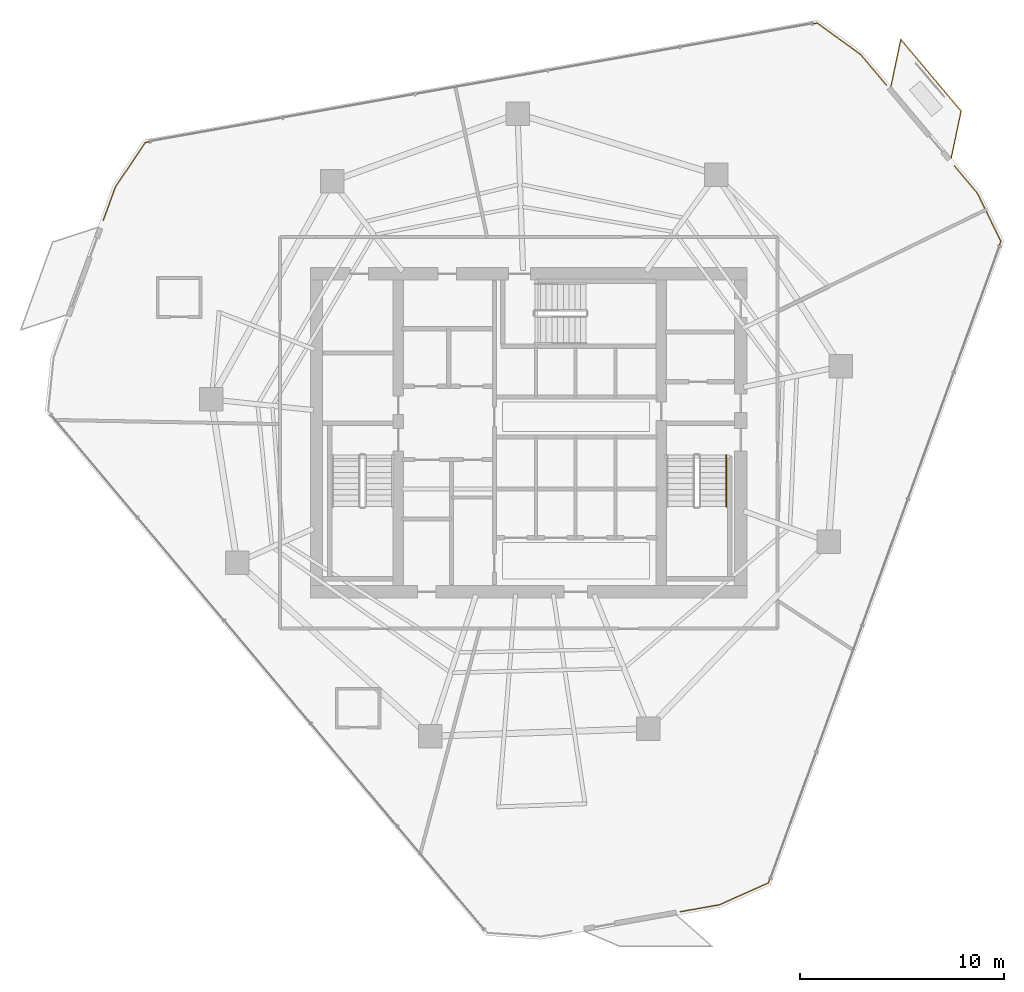
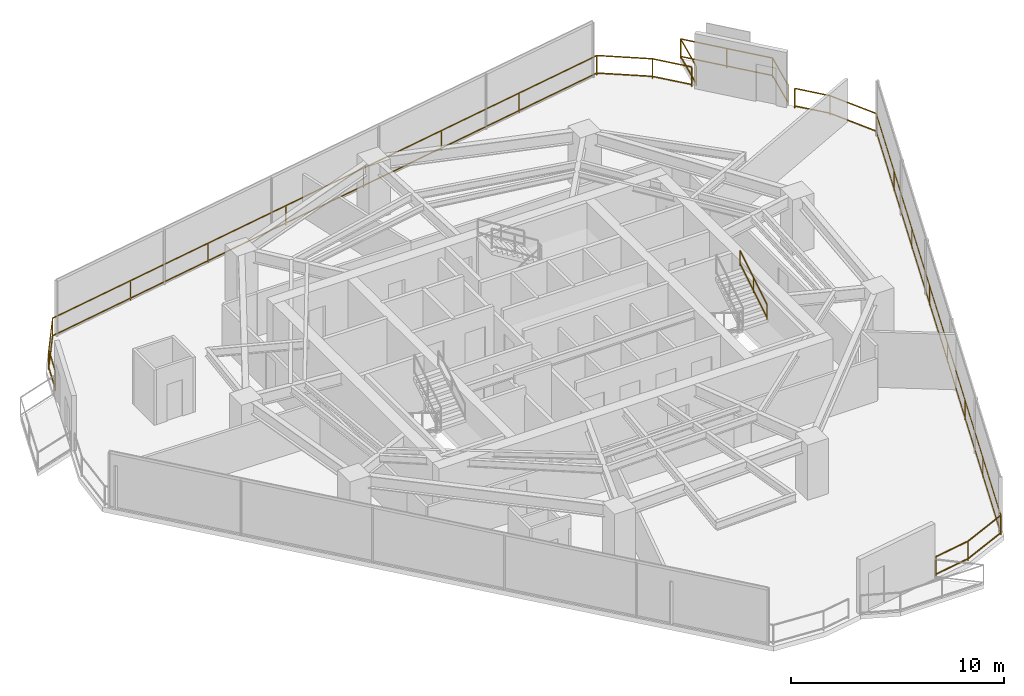
# One storey, part 27 of 27: 5 railings.
"""IFC4 building model written with IfcOpenShell, lengths in metres."""

from ifc_helpers import new_model, si_unit, direction, frame, origin, origin_2d, place, context, subcontext, project, spatial, rectangle, extrude, material, type_object, element, save


model = new_model("IFC4")

# Units and contexts
model_context = context("Model", 3, precision=1e-05, world=origin(), true_north=direction((0.0, 1.0)))
body_context = subcontext(model_context, "Body", "Model", "MODEL_VIEW")
ifc_project = project(units=[si_unit("LENGTHUNIT", "METRE"), si_unit("AREAUNIT", "SQUARE_METRE"), si_unit("VOLUMEUNIT", "CUBIC_METRE"), si_unit("PLANEANGLEUNIT", "RADIAN"), si_unit("MASSUNIT", "GRAM", prefix="KILO")], contexts=[model_context])

# Site, building, storey
site_placement = place(None, origin())
site = spatial("IfcSite", under=ifc_project, at=site_placement, CompositionType="ELEMENT")
building_placement = place(site_placement, origin())
building = spatial("IfcBuilding", under=site, at=building_placement, Name="Qarnah Convention Tower", CompositionType="ELEMENT")
storey_placement = place(building_placement, frame((0.0, 0.0, 103.949951171875)))
storey = spatial("IfcBuildingStorey", under=building, at=storey_placement, Name="L27", CompositionType="ELEMENT", Elevation=103.949951171875)

# Railings
ifc_material_1 = material(Name="Black anodised aluminium", Category="aluminium")
railing_type_1 = type_object("IfcRailingType", Name="RL-EXT-GUARD-1150", PredefinedType="GUARDRAIL", material=ifc_material_1)
railing_1_placement = place(storey_placement, frame((53.47900390625, 44.948974609375, 0.0)))
element("IfcRailing", 1, at=railing_1_placement, inside=storey, type_object=railing_type_1, Name="L27 slab-edge perimeter safety guard 01", PredefinedType="GUARDRAIL", context=body_context, shape_type="SweptSolid", body=[
    extrude(rectangle(XDim=0.048095703125, YDim=0.048095703125, at=origin_2d()), frame((0.0, 0.0, 1.1259765625), z_axis=(0.643822690207, -0.765174714411, 0.0), x_axis=(0.765174714411, 0.643822690207, 0.0)), (0.0, 0.0, 1.0), 1.969482421875),
    extrude(rectangle(XDim=0.048095703125, YDim=0.048095703125, at=origin_2d()), frame((0.0, 0.0, 0.1201171875), z_axis=(0.643822690207, -0.765174714411, 0.0), x_axis=(0.765174714411, 0.643822690207, 0.0)), (0.0, 0.0, 1.0), 1.969482421875),
    extrude(rectangle(XDim=0.0419921875, YDim=0.0419921875, at=origin_2d()), origin(), (0.0, 0.0, 1.0), 1.101806640625),
    extrude(rectangle(XDim=0.0419921875, YDim=0.0419921875, at=origin_2d()), frame((1.26806640625, -1.507080078125, 0.0)), (0.0, 0.0, 1.0), 1.101806640625),
])
railing_2_placement = place(storey_placement, frame((58.068115234375, 39.4951171875, 0.0)))
element("IfcRailing", 2, at=railing_2_placement, inside=storey, type_object=railing_type_1, Name="L27 slab-edge perimeter safety guard 02", PredefinedType="GUARDRAIL", context=body_context, shape_type="SweptSolid", body=[
    extrude(rectangle(XDim=0.048095703125, YDim=0.048095703125, at=origin_2d()), frame((0.0, 0.0, 1.1259765625), z_axis=(0.643810677597, -0.765184821734, 0.0), x_axis=(0.765184821734, 0.643810677597, 0.0)), (0.0, 0.0, 1.0), 1.758056640625),
    extrude(rectangle(XDim=0.048095703125, YDim=0.048095703125, at=origin_2d()), frame((0.0, 0.0, 0.1201171875), z_axis=(0.643810677597, -0.765184821734, 0.0), x_axis=(0.765184821734, 0.643810677597, 0.0)), (0.0, 0.0, 1.0), 1.758056640625),
    extrude(rectangle(XDim=0.048095703125, YDim=0.048095703125, at=origin_2d()), frame((1.1318359375, -1.34521484375, 1.1259765625), z_axis=(0.439774273419, -0.898108338921, 0.0), x_axis=(0.898108338921, 0.439774273419, 0.0)), (0.0, 0.0, 1.0), 2.630859375),
    extrude(rectangle(XDim=0.048095703125, YDim=0.048095703125, at=origin_2d()), frame((1.1318359375, -1.34521484375, 0.1201171875), z_axis=(0.439774273419, -0.898108338921, 0.0), x_axis=(0.898108338921, 0.439774273419, 0.0)), (0.0, 0.0, 1.0), 2.630859375),
    extrude(rectangle(XDim=0.048095703125, YDim=0.048095703125, at=origin_2d()), frame((2.288818359375, -3.7080078125, 1.1259765625), z_axis=(-0.340682519444, -0.940178398468, 0.0), x_axis=(0.940178398468, -0.340682519444, 0.0)), (0.0, 0.0, 1.0), 33.4619140625),
    extrude(rectangle(XDim=0.048095703125, YDim=0.048095703125, at=origin_2d()), frame((2.288818359375, -3.7080078125, 0.1201171875), z_axis=(-0.340682519444, -0.940178398468, 0.0), x_axis=(0.940178398468, -0.340682519444, 0.0)), (0.0, 0.0, 1.0), 33.4619140625),
    extrude(rectangle(XDim=0.048095703125, YDim=0.048095703125, at=origin_2d()), frame((-9.111083984375, -35.168212890625, 1.1259765625), z_axis=(-0.912971955554, -0.408022313571, 0.0), x_axis=(0.408022313571, -0.912971955554, 0.0)), (0.0, 0.0, 1.0), 2.632080078125),
    extrude(rectangle(XDim=0.048095703125, YDim=0.048095703125, at=origin_2d()), frame((-9.111083984375, -35.168212890625, 0.1201171875), z_axis=(-0.912971955554, -0.408022313571, 0.0), x_axis=(0.408022313571, -0.912971955554, 0.0)), (0.0, 0.0, 1.0), 2.632080078125),
    extrude(rectangle(XDim=0.048095703125, YDim=0.048095703125, at=origin_2d()), frame((-11.51416015625, -36.2421875, 1.1259765625), z_axis=(-0.984539236891, -0.175164183043, 0.0), x_axis=(0.175164183043, -0.984539236891, 0.0)), (0.0, 0.0, 1.0), 1.969482421875),
    extrude(rectangle(XDim=0.048095703125, YDim=0.048095703125, at=origin_2d()), frame((-11.51416015625, -36.2421875, 0.1201171875), z_axis=(-0.984539236891, -0.175164183043, 0.0), x_axis=(0.175164183043, -0.984539236891, 0.0)), (0.0, 0.0, 1.0), 1.969482421875),
    extrude(rectangle(XDim=0.0419921875, YDim=0.0419921875, at=origin_2d()), origin(), (0.0, 0.0, 1.0), 1.101806640625),
    extrude(rectangle(XDim=0.0419921875, YDim=0.0419921875, at=origin_2d()), frame((1.1318359375, -1.34521484375, 0.0)), (0.0, 0.0, 1.0), 1.101806640625),
    extrude(rectangle(XDim=0.0419921875, YDim=0.0419921875, at=origin_2d()), frame((2.288818359375, -3.7080078125, 0.0)), (0.0, 0.0, 1.0), 1.101806640625),
    extrude(rectangle(XDim=0.0419921875, YDim=0.0419921875, at=origin_2d()), frame((0.66015625, -8.202392578125, 0.0)), (0.0, 0.0, 1.0), 1.101806640625),
    extrude(rectangle(XDim=0.0419921875, YDim=0.0419921875, at=origin_2d()), frame((-0.96826171875, -12.696533203125, 0.0)), (0.0, 0.0, 1.0), 1.101806640625),
    extrude(rectangle(XDim=0.0419921875, YDim=0.0419921875, at=origin_2d()), frame((-2.596923828125, -17.19091796875, 0.0)), (0.0, 0.0, 1.0), 1.101806640625),
    extrude(rectangle(XDim=0.0419921875, YDim=0.0419921875, at=origin_2d()), frame((-4.225341796875, -21.685302734375, 0.0)), (0.0, 0.0, 1.0), 1.101806640625),
    extrude(rectangle(XDim=0.0419921875, YDim=0.0419921875, at=origin_2d()), frame((-5.85400390625, -26.1796875, 0.0)), (0.0, 0.0, 1.0), 1.101806640625),
    extrude(rectangle(XDim=0.0419921875, YDim=0.0419921875, at=origin_2d()), frame((-7.482421875, -30.673828125, 0.0)), (0.0, 0.0, 1.0), 1.101806640625),
    extrude(rectangle(XDim=0.0419921875, YDim=0.0419921875, at=origin_2d()), frame((-9.111083984375, -35.168212890625, 0.0)), (0.0, 0.0, 1.0), 1.101806640625),
    extrude(rectangle(XDim=0.0419921875, YDim=0.0419921875, at=origin_2d()), frame((-11.51416015625, -36.2421875, 0.0)), (0.0, 0.0, 1.0), 1.101806640625),
    extrude(rectangle(XDim=0.0419921875, YDim=0.0419921875, at=origin_2d()), frame((-13.453125, -36.587158203125, 0.0)), (0.0, 0.0, 1.0), 1.101806640625),
])
railing_3_placement = place(storey_placement, frame((16.3349609375, 36.800048828125, 0.0)))
element("IfcRailing", 3, at=railing_3_placement, inside=storey, type_object=railing_type_1, Name="L27 slab-edge perimeter safety guard 04", PredefinedType="GUARDRAIL", context=body_context, shape_type="SweptSolid", body=[
    extrude(rectangle(XDim=0.048095703125, YDim=0.048095703125, at=origin_2d()), frame((0.0, 0.0, 1.1259765625), z_axis=(0.340962033959, 0.940077066734, 0.0), x_axis=(-0.940077066734, 0.340962033959, 0.0)), (0.0, 0.0, 1.0), 1.757080078125),
    extrude(rectangle(XDim=0.048095703125, YDim=0.048095703125, at=origin_2d()), frame((0.0, 0.0, 0.1201171875), z_axis=(0.340962033959, 0.940077066734, 0.0), x_axis=(-0.940077066734, 0.340962033959, 0.0)), (0.0, 0.0, 1.0), 1.757080078125),
    extrude(rectangle(XDim=0.048095703125, YDim=0.048095703125, at=origin_2d()), frame((0.59912109375, 1.65185546875, 1.1259765625), z_axis=(0.558098902581, 0.82977443618, 0.0), x_axis=(-0.82977443618, 0.558098902581, 0.0)), (0.0, 0.0, 1.0), 2.632080078125),
    extrude(rectangle(XDim=0.048095703125, YDim=0.048095703125, at=origin_2d()), frame((0.59912109375, 1.65185546875, 0.1201171875), z_axis=(0.558098902581, 0.82977443618, 0.0), x_axis=(-0.82977443618, 0.558098902581, 0.0)), (0.0, 0.0, 1.0), 2.632080078125),
    extrude(rectangle(XDim=0.048095703125, YDim=0.048095703125, at=origin_2d()), frame((2.068115234375, 3.8359375, 1.1259765625), z_axis=(0.984562116604, 0.175035535099, 0.0), x_axis=(-0.175035535099, 0.984562116604, 0.0)), (0.0, 0.0, 1.0), 33.46142578125),
    extrude(rectangle(XDim=0.048095703125, YDim=0.048095703125, at=origin_2d()), frame((2.068115234375, 3.8359375, 0.1201171875), z_axis=(0.984562116604, 0.175035535099, 0.0), x_axis=(-0.175035535099, 0.984562116604, 0.0)), (0.0, 0.0, 1.0), 33.46142578125),
    extrude(rectangle(XDim=0.048095703125, YDim=0.048095703125, at=origin_2d()), frame((35.012939453125, 9.69287109375, 1.1259765625), z_axis=(0.809809889504, -0.586692374982, 0.0), x_axis=(0.586692374982, 0.809809889504, 0.0)), (0.0, 0.0, 1.0), 2.631591796875),
    extrude(rectangle(XDim=0.048095703125, YDim=0.048095703125, at=origin_2d()), frame((35.012939453125, 9.69287109375, 0.1201171875), z_axis=(0.809809889504, -0.586692374982, 0.0), x_axis=(0.586692374982, 0.809809889504, 0.0)), (0.0, 0.0, 1.0), 2.631591796875),
    extrude(rectangle(XDim=0.0419921875, YDim=0.0419921875, at=origin_2d()), origin(), (0.0, 0.0, 1.0), 1.101806640625),
    extrude(rectangle(XDim=0.0419921875, YDim=0.0419921875, at=origin_2d()), frame((0.59912109375, 1.65185546875, 0.0)), (0.0, 0.0, 1.0), 1.101806640625),
    extrude(rectangle(XDim=0.0419921875, YDim=0.0419921875, at=origin_2d()), frame((2.068115234375, 3.8359375, 0.0)), (0.0, 0.0, 1.0), 1.101806640625),
    extrude(rectangle(XDim=0.0419921875, YDim=0.0419921875, at=origin_2d()), frame((6.7744140625, 4.672607421875, 0.0)), (0.0, 0.0, 1.0), 1.101806640625),
    extrude(rectangle(XDim=0.0419921875, YDim=0.0419921875, at=origin_2d()), frame((11.48095703125, 5.50927734375, 0.0)), (0.0, 0.0, 1.0), 1.101806640625),
    extrude(rectangle(XDim=0.0419921875, YDim=0.0419921875, at=origin_2d()), frame((16.187255859375, 6.345947265625, 0.0)), (0.0, 0.0, 1.0), 1.101806640625),
    extrude(rectangle(XDim=0.0419921875, YDim=0.0419921875, at=origin_2d()), frame((20.893798828125, 7.182861328125, 0.0)), (0.0, 0.0, 1.0), 1.101806640625),
    extrude(rectangle(XDim=0.0419921875, YDim=0.0419921875, at=origin_2d()), frame((25.60009765625, 8.01953125, 0.0)), (0.0, 0.0, 1.0), 1.101806640625),
    extrude(rectangle(XDim=0.0419921875, YDim=0.0419921875, at=origin_2d()), frame((30.306640625, 8.856201171875, 0.0)), (0.0, 0.0, 1.0), 1.101806640625),
    extrude(rectangle(XDim=0.0419921875, YDim=0.0419921875, at=origin_2d()), frame((35.012939453125, 9.69287109375, 0.0)), (0.0, 0.0, 1.0), 1.101806640625),
    extrude(rectangle(XDim=0.0419921875, YDim=0.0419921875, at=origin_2d()), frame((37.14404296875, 8.14892578125, 0.0)), (0.0, 0.0, 1.0), 1.101806640625),
])
railing_4_placement = place(storey_placement, frame((54.9619140625, 43.39599609375, 0.0)))
element("IfcRailing", 4, at=railing_4_placement, inside=storey, type_object=railing_type_1, Name="L27 balcony safety guard BAL-L27-C1", PredefinedType="GUARDRAIL", context=body_context, shape_type="SweptSolid", body=[
    extrude(rectangle(XDim=0.048095703125, YDim=0.048095703125, at=origin_2d()), frame((0.0, 0.0, 1.1259765625), z_axis=(0.206623609605, 0.978420504667, 0.0), x_axis=(-0.978420504667, 0.206623609605, 0.0)), (0.0, 0.0, 1.0), 2.347900390625),
    extrude(rectangle(XDim=0.048095703125, YDim=0.048095703125, at=origin_2d()), frame((0.0, 0.0, 0.1201171875), z_axis=(0.206623609605, 0.978420504667, 0.0), x_axis=(-0.978420504667, 0.206623609605, 0.0)), (0.0, 0.0, 1.0), 2.347900390625),
    extrude(rectangle(XDim=0.048095703125, YDim=0.048095703125, at=origin_2d()), frame((0.485107421875, 2.297119140625, 1.1259765625), z_axis=(0.643946123713, -0.765070839697, 0.0), x_axis=(0.765070839697, 0.643946123713, 0.0)), (0.0, 0.0, 1.0), 4.599609375),
    extrude(rectangle(XDim=0.048095703125, YDim=0.048095703125, at=origin_2d()), frame((0.485107421875, 2.297119140625, 0.1201171875), z_axis=(0.643946123713, -0.765070839697, 0.0), x_axis=(0.765070839697, 0.643946123713, 0.0)), (0.0, 0.0, 1.0), 4.599609375),
    extrude(rectangle(XDim=0.048095703125, YDim=0.048095703125, at=origin_2d()), frame((3.447021484375, -1.221923828125, 1.1259765625), z_axis=(-0.206524058253, -0.97844152271, 0.0), x_axis=(0.97844152271, -0.206524058253, 0.0)), (0.0, 0.0, 1.0), 2.34765625),
    extrude(rectangle(XDim=0.048095703125, YDim=0.048095703125, at=origin_2d()), frame((3.447021484375, -1.221923828125, 0.1201171875), z_axis=(-0.206524058253, -0.97844152271, 0.0), x_axis=(0.97844152271, -0.206524058253, 0.0)), (0.0, 0.0, 1.0), 2.34765625),
    extrude(rectangle(XDim=0.0419921875, YDim=0.0419921875, at=origin_2d()), origin(), (0.0, 0.0, 1.0), 1.101806640625),
    extrude(rectangle(XDim=0.0419921875, YDim=0.0419921875, at=origin_2d()), frame((0.485107421875, 2.297119140625, 0.0)), (0.0, 0.0, 1.0), 1.101806640625),
    extrude(rectangle(XDim=0.0419921875, YDim=0.0419921875, at=origin_2d()), frame((1.966064453125, 0.53759765625, 0.0)), (0.0, 0.0, 1.0), 1.101806640625),
    extrude(rectangle(XDim=0.0419921875, YDim=0.0419921875, at=origin_2d()), frame((3.447021484375, -1.221923828125, 0.0)), (0.0, 0.0, 1.0), 1.101806640625),
    extrude(rectangle(XDim=0.0419921875, YDim=0.0419921875, at=origin_2d()), frame((2.962158203125, -3.51904296875, 0.0)), (0.0, 0.0, 1.0), 1.101806640625),
])
ifc_material_2 = material(Name="Structural steel S355JR", Category="steel")
railing_type_2 = type_object("IfcRailingType", Name="RL-STAIR-HAND-900", PredefinedType="HANDRAIL", material=ifc_material_2)
railing_5_placement = place(storey_placement, frame((46.89990234375, 22.780029296875, 1.8974609375)))
element("IfcRailing", 5, at=railing_5_placement, inside=storey, type_object=railing_type_2, Name="L27 ST-2 stair handrail 2", PredefinedType="HANDRAIL", context=body_context, shape_type="SweptSolid", body=[
    extrude(rectangle(XDim=0.048095703125, YDim=0.048095703125, at=origin_2d()), frame((0.0, 0.0, 0.8759765625), z_axis=(0.0, 0.851400495292, 0.524516154772), x_axis=(-1.0, 0.0, 0.0)), (0.0, 0.0, 1.0), 2.9599609375),
    extrude(rectangle(XDim=0.048095703125, YDim=0.048095703125, at=origin_2d()), frame((0.0, 0.0, 0.1201171875), z_axis=(0.0, 0.851400495292, 0.524516154772), x_axis=(-1.0, 0.0, 0.0)), (0.0, 0.0, 1.0), 2.9599609375),
    extrude(rectangle(XDim=0.0419921875, YDim=0.0419921875, at=origin_2d()), origin(), (0.0, 0.0, 1.0), 0.851806640625),
    extrude(rectangle(XDim=0.0419921875, YDim=0.0419921875, at=origin_2d()), frame((0.0, 1.260009765625, 0.7763671875)), (0.0, 0.0, 1.0), 0.851806640625),
    extrude(rectangle(XDim=0.0419921875, YDim=0.0419921875, at=origin_2d()), frame((0.0, 2.52001953125, 1.552490234375)), (0.0, 0.0, 1.0), 0.851806640625),
])

save(model, "model.ifc")
